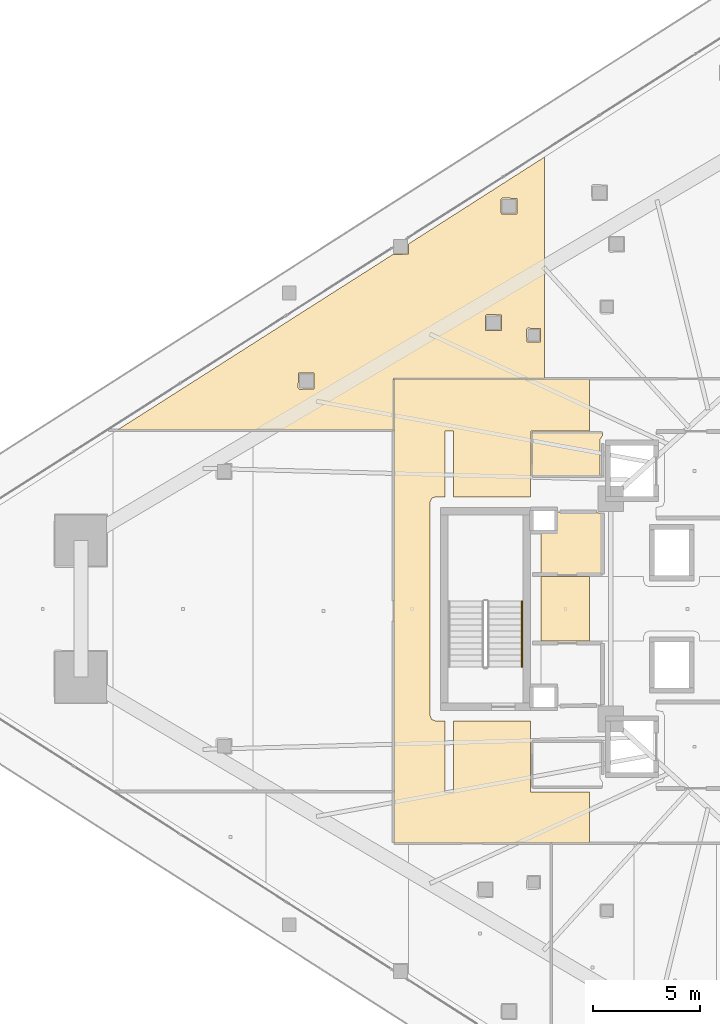
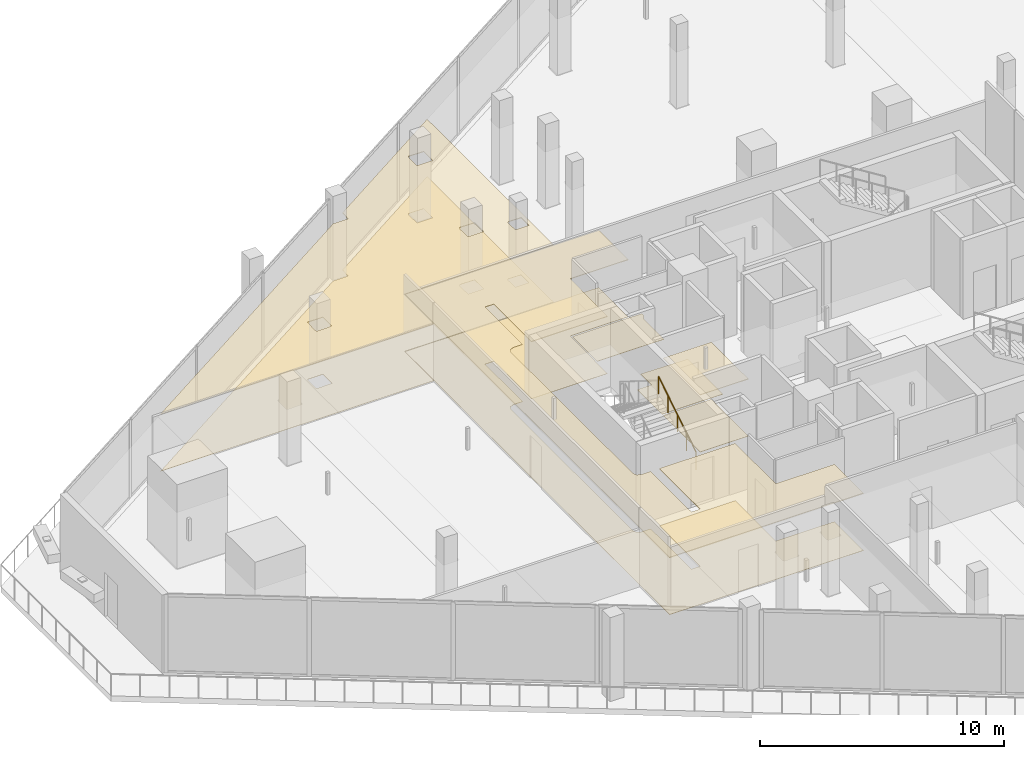
# One storey, part 41 of 44: 8 coverings, 1 railing.
"""IFC4 building model written with IfcOpenShell, lengths in metres."""

from ifc_helpers import new_model, si_unit, direction, frame, origin, origin_2d, place, context, subcontext, project, spatial, polyline, circle, outline, extrude, material, layer, layer_set, type_object, element, save


model = new_model("IFC4")

# Units and contexts
model_context = context("Model", 3, precision=1e-05, world=origin(), true_north=direction((0.0, 1.0)))
body_context = subcontext(model_context, "Body", "Model", "MODEL_VIEW")
ifc_project = project(units=[si_unit("LENGTHUNIT", "METRE"), si_unit("AREAUNIT", "SQUARE_METRE"), si_unit("VOLUMEUNIT", "CUBIC_METRE"), si_unit("PLANEANGLEUNIT", "RADIAN"), si_unit("MASSUNIT", "GRAM", prefix="KILO")], contexts=[model_context])

# Site, building, storey
site_placement = place(None, origin())
site = spatial("IfcSite", under=ifc_project, at=site_placement, CompositionType="ELEMENT")
building_placement = place(site_placement, origin())
building = spatial("IfcBuilding", under=site, at=building_placement, Name="Qorvath Tower", CompositionType="ELEMENT")
storey_placement = place(building_placement, frame((0.0, 0.0, 40.800048828125)))
storey = spatial("IfcBuildingStorey", under=building, at=storey_placement, Name="L08", CompositionType="ELEMENT", Elevation=40.800048828125)

# Coverings
ifc_material_1 = material(Name="Acoustic mineral fibre ceiling tile", Category="gypsum")
ifc_layer_1 = layer(ifc_material_1, 0.030029296875)
ifc_layer_set_1 = layer_set([ifc_layer_1], Name="COV-CEIL")
covering_type_1 = type_object("IfcCoveringType", Name="COV-CEIL", PredefinedType="CEILING", material=ifc_layer_set_1)
covering_1_placement = place(storey_placement, frame((0.0, 0.0, 2.849853515625)))
element("IfcCovering", 1, at=covering_1_placement, inside=storey, type_object=covering_type_1, Name="L08 Suspended Acoustic Ceiling 007", PredefinedType="CEILING", context=body_context, shape_type="SweptSolid", body=[
    extrude(outline(polyline([(-31.481689453125, -10.945068359375), (-31.481689453125, -8.564697265625), (-34.25, -8.56494140625), (-34.2548828125, -5.239990234375), (-37.844970703125, -5.239990234375), (-37.844970703125, -8.580078125), (-38.2548828125, -8.580078125), (-38.2548828125, -5.239990234375), (-38.699951171875, -5.239990234375), (-38.876708984375, -5.166748046875), (-38.949951171875, -4.989990234375), (-38.949951171875, 4.989990234375), (-38.876708984375, 5.166748046875), (-38.699951171875, 5.239990234375), (-38.2548828125, 5.239990234375), (-38.25341796875, 8.323486328125), (-37.844970703125, 8.320068359375), (-37.844970703125, 5.239990234375), (-34.2509765625, 5.239990234375), (-34.219970703125, 8.324951171875), (-31.481689453125, 8.324951171875), (-31.481689453125, 10.7451171875), (-40.64501953125, 10.7451171875), (-40.64501953125, -10.945068359375), (-31.481689453125, -10.945068359375)])), origin(), (0.0, 0.0, 1.0), 0.030029296875),
])
covering_2_placement = place(storey_placement, frame((0.0, 0.0, 2.849853515625)))
element("IfcCovering", 2, at=covering_2_placement, inside=storey, type_object=covering_type_1, Name="L08 Suspended Acoustic Ceiling 008", PredefinedType="CEILING", context=body_context, shape_type="SweptSolid", body=[
    extrude(outline(polyline([(-31.481689453125, -1.514892578125), (-31.481689453125, 1.514892578125), (-33.760009765625, 1.514892578125), (-33.760009765625, -1.514892578125), (-31.481689453125, -1.514892578125)])), origin(), (0.0, 0.0, 1.0), 0.030029296875),
])
covering_3_placement = place(storey_placement, frame((0.0, 0.0, 2.849853515625)))
element("IfcCovering", 3, at=covering_3_placement, inside=storey, type_object=covering_type_1, Name="L08 Suspended Acoustic Ceiling 010", PredefinedType="CEILING", context=body_context, shape_type="SweptSolid", body=[
    extrude(outline(polyline([(-33.60546875, 10.762939453125), (-33.60546875, 21.127197265625), (-39.947509765625, 17.07373046875), (-39.965087890625, 16.58837890625), (-40.680419921875, 16.580322265625), (-53.5888671875, 8.35498046875), (-40.6630859375, 8.35498046875), (-40.657958984375, 10.762939453125), (-33.60546875, 10.762939453125)]), holes=[polyline([(-34.439208984375, 13.0673828125), (-34.379150390625, 13.12744140625), (-33.786865234375, 13.10986328125), (-33.786865234375, 12.47509765625), (-34.421630859375, 12.47509765625), (-34.439208984375, 13.0673828125)]), polyline([(-35.63671875, 19.154296875), (-35.57666015625, 19.21435546875), (-34.88427734375, 19.19677734375), (-34.88427734375, 18.4619140625), (-35.619140625, 18.4619140625), (-35.63671875, 19.154296875)]), polyline([(-36.36572265625, 13.705810546875), (-36.3056640625, 13.765869140625), (-35.61328125, 13.748291015625), (-35.61328125, 13.013427734375), (-36.34814453125, 13.013427734375), (-36.36572265625, 13.705810546875)]), polyline([(-45.121337890625, 10.327392578125), (-45.103759765625, 11.019775390625), (-44.368896484375, 11.019775390625), (-44.368896484375, 10.284912109375), (-45.061279296875, 10.267333984375), (-45.121337890625, 10.327392578125)])]), origin(), (0.0, 0.0, 1.0), 0.030029296875),
])
ifc_material_2 = material(Name="Low-VOC modular carpet tile", Category="textile")
ifc_layer_2 = layer(ifc_material_2, 0.014892578125)
ifc_layer_set_2 = layer_set([ifc_layer_2], Name="COV-FLOOR-CPT")
covering_type_2 = type_object("IfcCoveringType", Name="COV-FLOOR-CPT", PredefinedType="FLOORING", material=ifc_layer_set_2)
covering_4_placement = place(storey_placement, origin())
element("IfcCovering", 4, at=covering_4_placement, inside=storey, type_object=covering_type_2, Name="L08 Floor Finish 004", PredefinedType="FLOORING", context=body_context, shape_type="SweptSolid", body=[
    extrude(outline(polyline([(-33.760009765625, 3.636962890625), (-33.760009765625, 1.60498046875), (-30.885009765625, 1.60498046875), (-30.885009765625, 4.489990234375), (-33.0869140625, 4.534912109375), (-33.092041015625, 3.636962890625), (-33.760009765625, 3.636962890625)])), origin(), (0.0, 0.0, 1.0), 0.014892578125),
])
covering_5_placement = place(storey_placement, origin())
element("IfcCovering", 5, at=covering_5_placement, inside=storey, type_object=covering_type_2, Name="L08 Floor Finish 010", PredefinedType="FLOORING", context=body_context, shape_type="SweptSolid", body=[
    extrude(outline(polyline([(-33.60546875, 10.762939453125), (-33.60546875, 21.127197265625), (-39.947509765625, 17.07373046875), (-39.965087890625, 16.58837890625), (-40.680419921875, 16.580322265625), (-53.5888671875, 8.35498046875), (-40.6630859375, 8.35498046875), (-40.657958984375, 10.762939453125), (-33.60546875, 10.762939453125)]), holes=[polyline([(-34.439208984375, 13.0673828125), (-34.379150390625, 13.12744140625), (-33.786865234375, 13.10986328125), (-33.786865234375, 12.47509765625), (-34.421630859375, 12.47509765625), (-34.439208984375, 13.0673828125)]), polyline([(-35.63671875, 19.154296875), (-35.57666015625, 19.21435546875), (-34.88427734375, 19.19677734375), (-34.88427734375, 18.4619140625), (-35.619140625, 18.4619140625), (-35.63671875, 19.154296875)]), polyline([(-36.36572265625, 13.705810546875), (-36.3056640625, 13.765869140625), (-35.61328125, 13.748291015625), (-35.61328125, 13.013427734375), (-36.34814453125, 13.013427734375), (-36.36572265625, 13.705810546875)]), polyline([(-45.121337890625, 10.327392578125), (-45.103759765625, 11.019775390625), (-44.368896484375, 11.019775390625), (-44.368896484375, 10.284912109375), (-45.061279296875, 10.267333984375), (-45.121337890625, 10.327392578125)])]), origin(), (0.0, 0.0, 1.0), 0.014892578125),
])
ifc_material_3 = material(Name="Polished epoxy terrazzo flooring", Category="concrete")
ifc_layer_3 = layer(ifc_material_3, 0.02001953125)
ifc_layer_set_3 = layer_set([ifc_layer_3], Name="COV-FLOOR-TRZ")
covering_type_3 = type_object("IfcCoveringType", Name="COV-FLOOR-TRZ", PredefinedType="FLOORING", material=ifc_layer_set_3)
covering_6_placement = place(storey_placement, origin())
element("IfcCovering", 6, at=covering_6_placement, inside=storey, type_object=covering_type_3, Name="L08 Floor Finish 003", PredefinedType="FLOORING", context=body_context, shape_type="SweptSolid", body=[
    extrude(outline(polyline([(-31.010009765625, 6.205078125), (-31.010009765625, 7.909912109375), (-30.885009765625, 8.108154296875), (-30.885009765625, 8.2451171875), (-34.175048828125, 8.2451171875), (-34.175048828125, 6.205078125), (-31.010009765625, 6.205078125)])), origin(), (0.0, 0.0, 1.0), 0.014892578125),
])
covering_7_placement = place(storey_placement, origin())
element("IfcCovering", 7, at=covering_7_placement, inside=storey, type_object=covering_type_3, Name="L08 Floor Finish 007", PredefinedType="FLOORING", context=body_context, shape_type="SweptSolid", body=[
    extrude(outline(polyline([(-31.481689453125, -10.945068359375), (-31.481689453125, -8.564697265625), (-34.25, -8.56494140625), (-34.2548828125, -5.239990234375), (-37.844970703125, -5.239990234375), (-37.844970703125, -8.580078125), (-38.2548828125, -8.580078125), (-38.2548828125, -5.239990234375), (-38.699951171875, -5.239990234375), (-38.876708984375, -5.166748046875), (-38.949951171875, -4.989990234375), (-38.949951171875, 4.989990234375), (-38.876708984375, 5.166748046875), (-38.699951171875, 5.239990234375), (-38.2548828125, 5.239990234375), (-38.25341796875, 8.323486328125), (-37.844970703125, 8.320068359375), (-37.844970703125, 5.239990234375), (-34.2509765625, 5.239990234375), (-34.219970703125, 8.324951171875), (-31.481689453125, 8.324951171875), (-31.481689453125, 10.7451171875), (-40.64501953125, 10.7451171875), (-40.64501953125, -10.945068359375), (-31.481689453125, -10.945068359375)])), origin(), (0.0, 0.0, 1.0), 0.014892578125),
])
covering_8_placement = place(storey_placement, origin())
element("IfcCovering", 8, at=covering_8_placement, inside=storey, type_object=covering_type_3, Name="L08 Floor Finish 008", PredefinedType="FLOORING", context=body_context, shape_type="SweptSolid", body=[
    extrude(outline(polyline([(-31.481689453125, -1.514892578125), (-31.481689453125, 1.514892578125), (-33.760009765625, 1.514892578125), (-33.760009765625, -1.514892578125), (-31.481689453125, -1.514892578125)])), origin(), (0.0, 0.0, 1.0), 0.014892578125),
])

# Railing
ifc_material_4 = material(Name="Brushed stainless steel AISI 304", Category="steel")
railing_type = type_object("IfcRailingType", Name="RL-STR-HND", PredefinedType="HANDRAIL", material=ifc_material_4)
railing_placement = place(storey_placement, frame((-34.64990234375, -2.719970703125, 0.175048828125)))
element("IfcRailing", 9, at=railing_placement, inside=storey, type_object=railing_type, Name="L08 TS3 stair handrail 1", PredefinedType="HANDRAIL", context=body_context, shape_type="SweptSolid", body=[
    extrude(circle(Radius=0.02392578125, at=origin_2d()), frame((0.0, 0.0, 0.8759765625), z_axis=(0.0, 0.848028513186, 0.529950602248), x_axis=(-1.0, 0.0, 0.0)), (0.0, 0.0, 1.0), 3.632080078125),
    extrude(circle(Radius=0.02099609375, at=origin_2d()), origin(), (0.0, 0.0, 1.0), 0.851806640625),
    extrude(circle(Radius=0.02099609375, at=origin_2d()), frame((0.0, 0.77001953125, 0.481201171875)), (0.0, 0.0, 1.0), 0.851806640625),
    extrude(circle(Radius=0.02099609375, at=origin_2d()), frame((0.0, 1.5400390625, 0.96240234375)), (0.0, 0.0, 1.0), 0.851806640625),
    extrude(circle(Radius=0.02099609375, at=origin_2d()), frame((0.0, 2.31005859375, 1.443603515625)), (0.0, 0.0, 1.0), 0.851806640625),
    extrude(circle(Radius=0.02099609375, at=origin_2d()), frame((0.0, 3.080078125, 1.9248046875)), (0.0, 0.0, 1.0), 0.851806640625),
])

save(model, "model.ifc")
